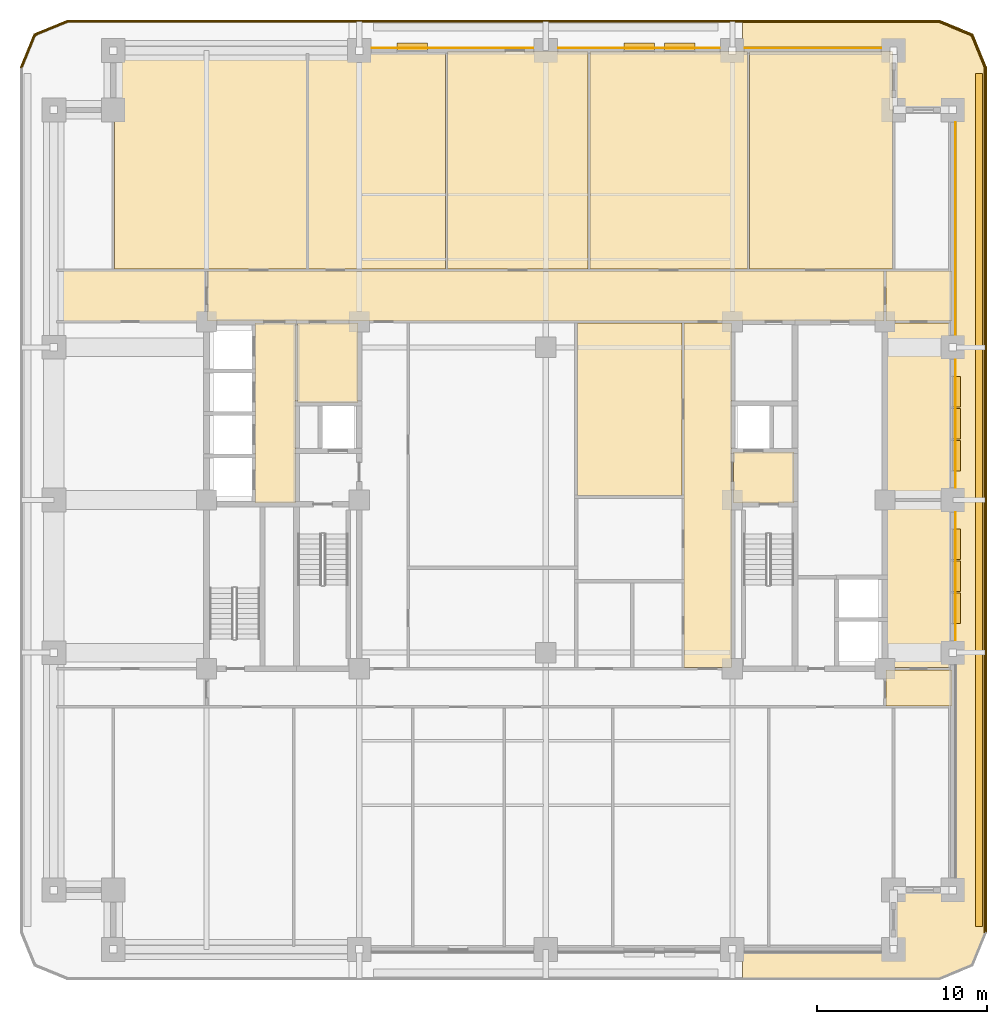
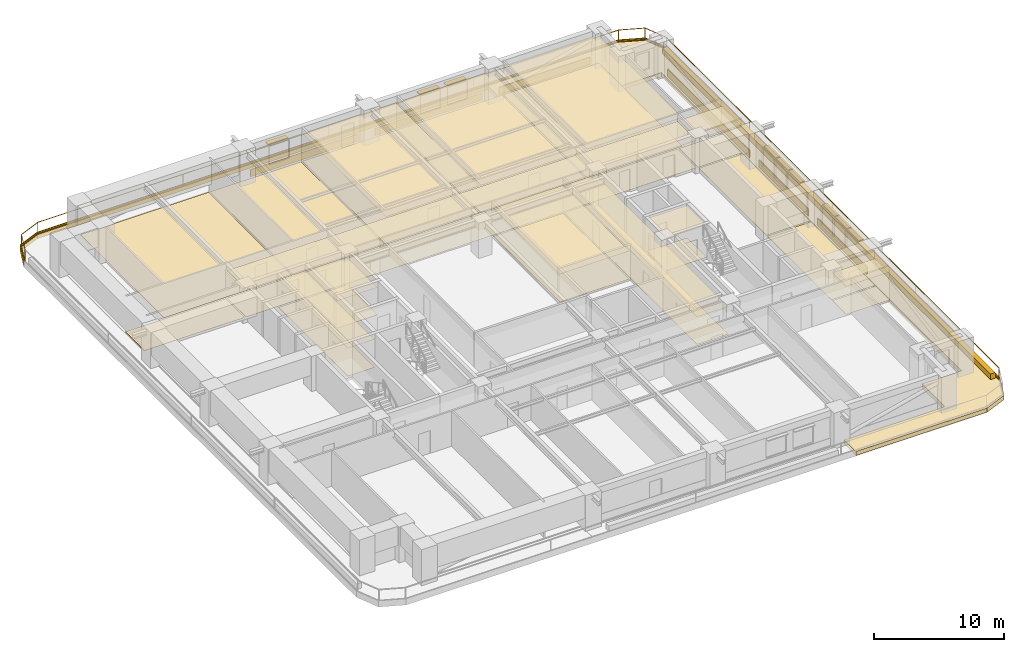
# One storey, part 14 of 14: 41 coverings, 9 shading devices, 2 railings.
"""IFC4 building model written with IfcOpenShell, lengths in metres."""

from ifc_helpers import new_model, si_unit, direction, frame, frame_2d, origin, origin_2d, place, context, subcontext, project, spatial, polyline, rectangle, outline, extrude, material, layer, layer_set, type_object, element, save


model = new_model("IFC4")

# Units and contexts
model_context = context("Model", 3, precision=1e-05, world=origin(), true_north=direction((0.0, 1.0)))
body_context = subcontext(model_context, "Body", "Model", "MODEL_VIEW")
ifc_project = project(units=[si_unit("LENGTHUNIT", "METRE"), si_unit("AREAUNIT", "SQUARE_METRE"), si_unit("VOLUMEUNIT", "CUBIC_METRE"), si_unit("PLANEANGLEUNIT", "RADIAN"), si_unit("MASSUNIT", "GRAM", prefix="KILO")], contexts=[model_context])

# Site, building, storey
site_placement = place(None, origin())
site = spatial("IfcSite", under=ifc_project, at=site_placement, CompositionType="ELEMENT")
building_placement = place(site_placement, origin())
building = spatial("IfcBuilding", under=site, at=building_placement, Name="Zulmaris Gate Convention Tower", CompositionType="ELEMENT")
storey_placement = place(building_placement, frame((0.0, 0.0, 60.760009765625)))
storey = spatial("IfcBuildingStorey", under=building, at=storey_placement, Name="L14", CompositionType="ELEMENT", Elevation=60.760009765625)

# Coverings
ifc_material_1 = material(Name="Precast concrete C40/50", Category="concrete")
ifc_layer_1 = layer(ifc_material_1, 0.0400390625, Name="Precast concrete C40/50")
ifc_layer_set_1 = layer_set([ifc_layer_1], Name="Precast concrete C40/50")
covering_type_1 = type_object("IfcCoveringType", Name="CLAD-SPANDREL-PRECAST", PredefinedType="CLADDING", material=ifc_layer_set_1)
for number, where, z_axis, x_axis, name in (
    (1, (-0.72998046875, 26.64990234375, 0.0), (0.0, 0.0, 1.0), (-1.0, 0.0, 0.0), "CLD-L14-N-1_0"),
    (2, (10.27001953125, 26.64990234375, 0.0), (0.0, 0.0, 1.0), (-1.0, 0.0, 0.0), "CLD-L14-N-2_0"),
):
    element("IfcCovering", number, at=place(storey_placement, frame(where, z_axis=z_axis, x_axis=x_axis)), inside=storey, type_object=covering_type_1, Name=name, PredefinedType="CLADDING", context=body_context, shape_type="SweptSolid", body=[
        extrude(rectangle(XDim=9.5400390625, YDim=0.0400390625, at=frame_2d((4.77001953125, 0.0))), origin(), (0.0, 0.0, 1.0), 0.679931640625),
    ])
covering_1_placement = place(storey_placement, frame((19.77001953125, 26.64990234375, 0.0), z_axis=(0.0, 0.0, 1.0), x_axis=(-1.0, 0.0, 0.0)))
element("IfcCovering", 3, at=covering_1_placement, inside=storey, type_object=covering_type_1, Name="CLD-L14-N-3_0", PredefinedType="CLADDING", context=body_context, shape_type="SweptSolid", body=[
    extrude(rectangle(XDim=8.0400390625, YDim=0.0400390625, at=frame_2d((4.02001953125, 0.0))), origin(), (0.0, 0.0, 1.0), 0.679931640625),
])
for number, where, z_axis, x_axis, name in (
    (4, (24.14990234375, -8.27001953125, 0.0), (0.0, 0.0, 1.0), (0.0, 1.0, 0.0), "CLD-L14-E-1_0"),
    (5, (24.14990234375, 0.72998046875, 0.0), (0.0, 0.0, 1.0), (0.0, 1.0, 0.0), "CLD-L14-E-2_0"),
):
    element("IfcCovering", number, at=place(storey_placement, frame(where, z_axis=z_axis, x_axis=x_axis)), inside=storey, type_object=covering_type_1, Name=name, PredefinedType="CLADDING", context=body_context, shape_type="SweptSolid", body=[
        extrude(rectangle(XDim=7.5400390625, YDim=0.0400390625, at=frame_2d((3.77001953125, 0.0))), origin(), (0.0, 0.0, 1.0), 0.679931640625),
    ])
covering_2_placement = place(storey_placement, frame((24.14990234375, 9.72998046875, 0.0), z_axis=(0.0, 0.0, 1.0), x_axis=(0.0, 1.0, 0.0)))
element("IfcCovering", 6, at=covering_2_placement, inside=storey, type_object=covering_type_1, Name="CLD-L14-E-3_0", PredefinedType="CLADDING", context=body_context, shape_type="SweptSolid", body=[
    extrude(rectangle(XDim=12.5400390625, YDim=0.0400390625, at=frame_2d((6.27001953125, 0.0))), origin(), (0.0, 0.0, 1.0), 0.679931640625),
])
ifc_material_2 = material(Name="White Glazed Architectural Precast Concrete C40/50", Category="concrete")
ifc_layer_2 = layer(ifc_material_2, 0.239990234375, Name="White Glazed Architectural Precast Concrete C40/50")
ifc_layer_set_2 = layer_set([ifc_layer_2], Name="White Glazed Architectural Precast Concrete C40/50")
covering_type_2 = type_object("IfcCoveringType", Name="CLAD-TRAY-DECK", PredefinedType="CLADDING", material=ifc_layer_set_2)
covering_3_placement = place(storey_placement, frame((0.0, 0.0, -0.425048828125)))
element("IfcCovering", 7, at=covering_3_placement, inside=storey, type_object=covering_type_2, Name="L14 East Rounded-Fascia Planter Tray Deck", PredefinedType="CLADDING", context=body_context, shape_type="SweptSolid", body=[
    extrude(outline(polyline([(23.199951171875, 28.300048828125), (25.179931640625, 27.47998046875), (26.0, 25.5), (26.0, -25.5), (25.179931640625, -27.47998046875), (23.199951171875, -28.300048828125), (11.60205078125, -28.300048828125), (11.60205078125, -26.5), (20.5, -26.5), (20.5, -23.0), (24.0, -23.0), (24.0, 23.0), (20.5, 23.0), (20.5, 26.5), (11.60205078125, 26.5), (11.60205078125, 28.300048828125), (23.199951171875, 28.300048828125)])), origin(), (0.0, 0.0, 1.0), 0.385009765625),
])
ifc_layer_3 = layer(ifc_material_2, 0.080078125, Name="White Glazed Architectural Precast Concrete C40/50")
ifc_layer_set_3 = layer_set([ifc_layer_3], Name="White Glazed Architectural Precast Concrete C40/50")
covering_type_3 = type_object("IfcCoveringType", Name="CLAD-TRAY-FASCIA", PredefinedType="CLADDING", material=ifc_layer_set_3)
covering_4_placement = place(storey_placement, frame((25.9599609375, -25.5, -0.465087890625), z_axis=(0.0, 0.0, 1.0), x_axis=(0.0, 1.0, 0.0)))
element("IfcCovering", 8, at=covering_4_placement, inside=storey, type_object=covering_type_3, Name="FSC-L14-TR-05", PredefinedType="CLADDING", context=body_context, shape_type="SweptSolid", body=[
    extrude(rectangle(XDim=51.0, YDim=0.080078125, at=frame_2d((25.5, 0.0))), origin(), (0.0, 0.0, 1.0), 0.5849609375),
])
covering_5_placement = place(storey_placement, frame((25.962890625, 25.484619140625, -0.465087890625), z_axis=(0.0, 0.0, 1.0), x_axis=(-0.382656984709, 0.923890487046, 0.0)))
element("IfcCovering", 9, at=covering_5_placement, inside=storey, type_object=covering_type_3, Name="FSC-L14-TR-06", PredefinedType="CLADDING", context=body_context, shape_type="SweptSolid", body=[
    extrude(rectangle(XDim=2.14306640625, YDim=0.080078125, at=frame_2d((1.071533203125, 0.0))), origin(), (0.0, 0.0, 1.0), 0.5849609375),
])
covering_6_placement = place(storey_placement, frame((25.16455078125, 27.44287109375, -0.465087890625), z_axis=(0.0, 0.0, 1.0), x_axis=(-0.923873803533, 0.382697263049, 0.0)))
element("IfcCovering", 10, at=covering_6_placement, inside=storey, type_object=covering_type_3, Name="FSC-L14-TR-07", PredefinedType="CLADDING", context=body_context, shape_type="SweptSolid", body=[
    extrude(rectangle(XDim=2.142822265625, YDim=0.080078125, at=frame_2d((1.0712890625, 0.0))), origin(), (0.0, 0.0, 1.0), 0.5849609375),
])
covering_7_placement = place(storey_placement, frame((23.199951171875, 28.260009765625, -0.465087890625), z_axis=(0.0, 0.0, 1.0), x_axis=(-1.0, 0.0, 0.0)))
element("IfcCovering", 11, at=covering_7_placement, inside=storey, type_object=covering_type_3, Name="FSC-L14-TR-08", PredefinedType="CLADDING", context=body_context, shape_type="SweptSolid", body=[
    extrude(rectangle(XDim=51.39990234375, YDim=0.080078125, at=frame_2d((25.699951171875, 0.0))), origin(), (0.0, 0.0, 1.0), 0.5849609375),
])
covering_8_placement = place(storey_placement, frame((-28.184814453125, 28.262939453125, -0.465087890625), z_axis=(0.0, 0.0, 1.0), x_axis=(-0.923873803533, -0.382697263049, 0.0)))
element("IfcCovering", 12, at=covering_8_placement, inside=storey, type_object=covering_type_3, Name="FSC-L14-TR-09", PredefinedType="CLADDING", context=body_context, shape_type="SweptSolid", body=[
    extrude(rectangle(XDim=2.142822265625, YDim=0.080078125, at=frame_2d((1.0712890625, 0.0))), origin(), (0.0, 0.0, 1.0), 0.5849609375),
])
covering_9_placement = place(storey_placement, frame((-30.142822265625, 27.464599609375, -0.465087890625), z_axis=(0.0, 0.0, 1.0), x_axis=(-0.382656984709, -0.923890487046, 0.0)))
element("IfcCovering", 13, at=covering_9_placement, inside=storey, type_object=covering_type_3, Name="FSC-L14-TR-10", PredefinedType="CLADDING", context=body_context, shape_type="SweptSolid", body=[
    extrude(rectangle(XDim=2.14306640625, YDim=0.080078125, at=frame_2d((1.071533203125, 0.0))), origin(), (0.0, 0.0, 1.0), 0.5849609375),
])
ifc_material_3 = material(Name="Mineral Fibre Acoustic Ceiling Tile")
ifc_layer_4 = layer(ifc_material_3, 0.02001953125, Name="Mineral Fibre Acoustic Ceiling Tile")
ifc_layer_set_4 = layer_set([ifc_layer_4], Name="Mineral Fibre Acoustic Ceiling Tile")
covering_type_4 = type_object("IfcCoveringType", Name="CLG-ACOUSTIC-600", PredefinedType="CEILING", material=ifc_layer_set_4)
covering_10_placement = place(storey_placement, frame((0.0, 0.0, 3.039794921875)))
element("IfcCovering", 14, at=covering_10_placement, inside=storey, type_object=covering_type_4, Name="CLG-L14-R08", PredefinedType="CEILING", context=body_context, shape_type="SweptSolid", body=[
    extrude(outline(polyline([(11.06005859375, -0.18994140625), (14.639892578125, -0.18994140625), (14.639892578125, 2.840087890625), (11.06005859375, 2.840087890625), (11.06005859375, -0.18994140625)])), origin(), (0.0, 0.0, 1.0), 0.02001953125),
])
covering_11_placement = place(storey_placement, frame((0.0, 0.0, 2.577880859375)))
element("IfcCovering", 15, at=covering_11_placement, inside=storey, type_object=covering_type_4, Name="CLG-L14-R11", PredefinedType="CEILING", context=body_context, shape_type="SweptSolid", body=[
    extrude(outline(polyline([(-14.639892578125, 5.760009765625), (-11.06005859375, 5.760009765625), (-11.06005859375, 10.43994140625), (-14.639892578125, 10.43994140625), (-14.639892578125, 5.760009765625)])), origin(), (0.0, 0.0, 1.0), 0.02001953125),
])
covering_12_placement = place(storey_placement, frame((0.0, 0.0, 2.627685546875)))
element("IfcCovering", 16, at=covering_12_placement, inside=storey, type_object=covering_type_4, Name="CLG-L14-R15", PredefinedType="CEILING", context=body_context, shape_type="SweptSolid", body=[
    extrude(outline(polyline([(-17.139892578125, -0.18994140625), (-14.760009765625, -0.18994140625), (-14.760009765625, 10.43994140625), (-17.139892578125, 10.43994140625), (-17.139892578125, -0.18994140625)])), origin(), (0.0, 0.0, 1.0), 0.02001953125),
])
covering_13_placement = place(storey_placement, frame((0.0, 0.0, 2.577880859375)))
element("IfcCovering", 17, at=covering_13_placement, inside=storey, type_object=covering_type_4, Name="CLG-L14-R26", PredefinedType="CEILING", context=body_context, shape_type="SweptSolid", body=[
    extrude(outline(polyline([(-19.93994140625, 10.56005859375), (19.93994140625, 10.56005859375), (19.93994140625, 13.489990234375), (-19.93994140625, 13.489990234375), (-19.93994140625, 10.56005859375)])), origin(), (0.0, 0.0, 1.0), 0.02001953125),
])
covering_14_placement = place(storey_placement, frame((0.0, 0.0, 2.577880859375)))
element("IfcCovering", 18, at=covering_14_placement, inside=storey, type_object=covering_type_4, Name="CLG-L14-R29", PredefinedType="CEILING", context=body_context, shape_type="SweptSolid", body=[
    extrude(outline(polyline([(8.159912109375, -9.889892578125), (10.93994140625, -9.889892578125), (10.93994140625, 10.43994140625), (8.159912109375, 10.43994140625), (8.159912109375, -9.889892578125)])), origin(), (0.0, 0.0, 1.0), 0.02001953125),
])
covering_15_placement = place(storey_placement, frame((0.0, 0.0, 2.577880859375)))
element("IfcCovering", 19, at=covering_15_placement, inside=storey, type_object=covering_type_4, Name="CLG-L14-R32", PredefinedType="CEILING", context=body_context, shape_type="SweptSolid", body=[
    extrude(outline(polyline([(-5.7900390625, 13.610107421875), (2.489990234375, 13.610107421875), (2.489990234375, 26.43994140625), (-5.7900390625, 26.43994140625), (-5.7900390625, 13.610107421875)])), origin(), (0.0, 0.0, 1.0), 0.02001953125),
])
covering_16_placement = place(storey_placement, frame((0.0, 0.0, 2.577880859375)))
element("IfcCovering", 20, at=covering_16_placement, inside=storey, type_object=covering_type_4, Name="CLG-L14-R33", PredefinedType="CEILING", context=body_context, shape_type="SweptSolid", body=[
    extrude(outline(polyline([(2.610107421875, 13.610107421875), (11.889892578125, 13.610107421875), (11.889892578125, 26.43994140625), (2.610107421875, 26.43994140625), (2.610107421875, 13.610107421875)])), origin(), (0.0, 0.0, 1.0), 0.02001953125),
])
covering_17_placement = place(storey_placement, frame((0.0, 0.0, 2.6796875)))
element("IfcCovering", 21, at=covering_17_placement, inside=storey, type_object=covering_type_4, Name="CLG-L14-R34", PredefinedType="CEILING", context=body_context, shape_type="SweptSolid", body=[
    extrude(outline(polyline([(12.010009765625, 13.610107421875), (20.43994140625, 13.610107421875), (20.43994140625, 26.43994140625), (12.010009765625, 26.43994140625), (12.010009765625, 13.610107421875)])), origin(), (0.0, 0.0, 1.0), 0.02001953125),
])
covering_18_placement = place(storey_placement, frame((0.0, 0.0, 2.627685546875)))
element("IfcCovering", 22, at=covering_18_placement, inside=storey, type_object=covering_type_4, Name="CLG-L14-R43", PredefinedType="CEILING", context=body_context, shape_type="SweptSolid", body=[
    extrude(outline(polyline([(1.860107421875, 0.260009765625), (8.0400390625, 0.260009765625), (8.0400390625, 10.43994140625), (1.860107421875, 10.43994140625), (1.860107421875, 0.260009765625)])), origin(), (0.0, 0.0, 1.0), 0.02001953125),
])
covering_19_placement = place(storey_placement, frame((0.0, 0.0, 2.627685546875)))
element("IfcCovering", 23, at=covering_19_placement, inside=storey, type_object=covering_type_4, Name="CLG-L14-R50", PredefinedType="CEILING", context=body_context, shape_type="SweptSolid", body=[
    extrude(outline(polyline([(20.06005859375, 10.56005859375), (23.93994140625, 10.56005859375), (23.93994140625, 13.489990234375), (20.06005859375, 13.489990234375), (20.06005859375, 10.56005859375)])), origin(), (0.0, 0.0, 1.0), 0.02001953125),
])
covering_20_placement = place(storey_placement, frame((0.0, 0.0, 2.627685546875)))
element("IfcCovering", 24, at=covering_20_placement, inside=storey, type_object=covering_type_4, Name="CLG-L14-R51", PredefinedType="CEILING", context=body_context, shape_type="SweptSolid", body=[
    extrude(outline(polyline([(20.06005859375, -12.139892578125), (23.93994140625, -12.139892578125), (23.93994140625, -10.010009765625), (20.06005859375, -10.010009765625), (20.06005859375, -12.139892578125)])), origin(), (0.0, 0.0, 1.0), 0.02001953125),
])
ifc_material_4 = material(Name="Woven Acoustic Wool Carpet Tile")
ifc_layer_5 = layer(ifc_material_4, 0.02001953125, Name="Woven Acoustic Wool Carpet Tile")
ifc_layer_set_5 = layer_set([ifc_layer_5], Name="Woven Acoustic Wool Carpet Tile")
covering_type_5 = type_object("IfcCoveringType", Name="FLR-CARPET-12", PredefinedType="FLOORING", material=ifc_layer_set_5)
covering_21_placement = place(storey_placement, origin())
element("IfcCovering", 25, at=covering_21_placement, inside=storey, type_object=covering_type_5, Name="FLR-L14-R08", PredefinedType="FLOORING", context=body_context, shape_type="SweptSolid", body=[
    extrude(outline(polyline([(11.06005859375, -0.18994140625), (14.639892578125, -0.18994140625), (14.639892578125, 2.840087890625), (11.06005859375, 2.840087890625), (11.06005859375, -0.18994140625)])), origin(), (0.0, 0.0, 1.0), 0.02001953125),
])
covering_22_placement = place(storey_placement, origin())
element("IfcCovering", 26, at=covering_22_placement, inside=storey, type_object=covering_type_5, Name="FLR-L14-R11", PredefinedType="FLOORING", context=body_context, shape_type="SweptSolid", body=[
    extrude(outline(polyline([(-14.639892578125, 5.760009765625), (-11.06005859375, 5.760009765625), (-11.06005859375, 10.43994140625), (-14.639892578125, 10.43994140625), (-14.639892578125, 5.760009765625)])), origin(), (0.0, 0.0, 1.0), 0.02001953125),
])
covering_23_placement = place(storey_placement, origin())
element("IfcCovering", 27, at=covering_23_placement, inside=storey, type_object=covering_type_5, Name="FLR-L14-R15", PredefinedType="FLOORING", context=body_context, shape_type="SweptSolid", body=[
    extrude(outline(polyline([(-17.139892578125, -0.18994140625), (-14.760009765625, -0.18994140625), (-14.760009765625, 10.43994140625), (-17.139892578125, 10.43994140625), (-17.139892578125, -0.18994140625)])), origin(), (0.0, 0.0, 1.0), 0.02001953125),
])
covering_24_placement = place(storey_placement, origin())
element("IfcCovering", 28, at=covering_24_placement, inside=storey, type_object=covering_type_5, Name="FLR-L14-R26", PredefinedType="FLOORING", context=body_context, shape_type="SweptSolid", body=[
    extrude(outline(polyline([(-19.93994140625, 10.56005859375), (19.93994140625, 10.56005859375), (19.93994140625, 13.489990234375), (-19.93994140625, 13.489990234375), (-19.93994140625, 10.56005859375)])), origin(), (0.0, 0.0, 1.0), 0.02001953125),
])
covering_25_placement = place(storey_placement, origin())
element("IfcCovering", 29, at=covering_25_placement, inside=storey, type_object=covering_type_5, Name="FLR-L14-R29", PredefinedType="FLOORING", context=body_context, shape_type="SweptSolid", body=[
    extrude(outline(polyline([(8.159912109375, -9.889892578125), (10.93994140625, -9.889892578125), (10.93994140625, 10.43994140625), (8.159912109375, 10.43994140625), (8.159912109375, -9.889892578125)])), origin(), (0.0, 0.0, 1.0), 0.02001953125),
])
covering_26_placement = place(storey_placement, origin())
element("IfcCovering", 30, at=covering_26_placement, inside=storey, type_object=covering_type_5, Name="FLR-L14-R31", PredefinedType="FLOORING", context=body_context, shape_type="SweptSolid", body=[
    extrude(outline(polyline([(-13.989990234375, 13.610107421875), (-5.909912109375, 13.610107421875), (-5.909912109375, 26.43994140625), (-13.989990234375, 26.43994140625), (-13.989990234375, 13.610107421875)])), origin(), (0.0, 0.0, 1.0), 0.02001953125),
])
covering_27_placement = place(storey_placement, origin())
element("IfcCovering", 31, at=covering_27_placement, inside=storey, type_object=covering_type_5, Name="FLR-L14-R32", PredefinedType="FLOORING", context=body_context, shape_type="SweptSolid", body=[
    extrude(outline(polyline([(-5.7900390625, 13.610107421875), (2.489990234375, 13.610107421875), (2.489990234375, 26.43994140625), (-5.7900390625, 26.43994140625), (-5.7900390625, 13.610107421875)])), origin(), (0.0, 0.0, 1.0), 0.02001953125),
])
covering_28_placement = place(storey_placement, origin())
element("IfcCovering", 32, at=covering_28_placement, inside=storey, type_object=covering_type_5, Name="FLR-L14-R33", PredefinedType="FLOORING", context=body_context, shape_type="SweptSolid", body=[
    extrude(outline(polyline([(2.610107421875, 13.610107421875), (11.889892578125, 13.610107421875), (11.889892578125, 26.43994140625), (2.610107421875, 26.43994140625), (2.610107421875, 13.610107421875)])), origin(), (0.0, 0.0, 1.0), 0.02001953125),
])
covering_29_placement = place(storey_placement, origin())
element("IfcCovering", 33, at=covering_29_placement, inside=storey, type_object=covering_type_5, Name="FLR-L14-R43", PredefinedType="FLOORING", context=body_context, shape_type="SweptSolid", body=[
    extrude(outline(polyline([(1.860107421875, 0.260009765625), (8.0400390625, 0.260009765625), (8.0400390625, 10.43994140625), (1.860107421875, 10.43994140625), (1.860107421875, 0.260009765625)])), origin(), (0.0, 0.0, 1.0), 0.02001953125),
])
covering_30_placement = place(storey_placement, origin())
element("IfcCovering", 34, at=covering_30_placement, inside=storey, type_object=covering_type_5, Name="FLR-L14-R47", PredefinedType="FLOORING", context=body_context, shape_type="SweptSolid", body=[
    extrude(outline(polyline([(-28.93994140625, 10.56005859375), (-20.06005859375, 10.56005859375), (-20.06005859375, 13.489990234375), (-28.93994140625, 13.489990234375), (-28.93994140625, 10.56005859375)])), origin(), (0.0, 0.0, 1.0), 0.02001953125),
])
covering_31_placement = place(storey_placement, origin())
element("IfcCovering", 35, at=covering_31_placement, inside=storey, type_object=covering_type_5, Name="FLR-L14-R50", PredefinedType="FLOORING", context=body_context, shape_type="SweptSolid", body=[
    extrude(outline(polyline([(20.06005859375, 10.56005859375), (23.93994140625, 10.56005859375), (23.93994140625, 13.489990234375), (20.06005859375, 13.489990234375), (20.06005859375, 10.56005859375)])), origin(), (0.0, 0.0, 1.0), 0.02001953125),
])
covering_32_placement = place(storey_placement, origin())
element("IfcCovering", 36, at=covering_32_placement, inside=storey, type_object=covering_type_5, Name="FLR-L14-R51", PredefinedType="FLOORING", context=body_context, shape_type="SweptSolid", body=[
    extrude(outline(polyline([(20.06005859375, -12.139892578125), (23.93994140625, -12.139892578125), (23.93994140625, -10.010009765625), (20.06005859375, -10.010009765625), (20.06005859375, -12.139892578125)])), origin(), (0.0, 0.0, 1.0), 0.02001953125),
])
covering_33_placement = place(storey_placement, origin())
element("IfcCovering", 37, at=covering_33_placement, inside=storey, type_object=covering_type_5, Name="FLR-L14-R52", PredefinedType="FLOORING", context=body_context, shape_type="SweptSolid", body=[
    extrude(outline(polyline([(20.06005859375, 0.06005859375), (23.93994140625, 0.06005859375), (23.93994140625, 10.43994140625), (20.06005859375, 10.43994140625), (20.06005859375, 0.06005859375)])), origin(), (0.0, 0.0, 1.0), 0.02001953125),
])
covering_34_placement = place(storey_placement, origin())
element("IfcCovering", 38, at=covering_34_placement, inside=storey, type_object=covering_type_5, Name="FLR-L14-R53", PredefinedType="FLOORING", context=body_context, shape_type="SweptSolid", body=[
    extrude(outline(polyline([(20.06005859375, -9.889892578125), (23.93994140625, -9.889892578125), (23.93994140625, -0.06005859375), (20.06005859375, -0.06005859375), (20.06005859375, -9.889892578125)])), origin(), (0.0, 0.0, 1.0), 0.02001953125),
])
ifc_material_5 = material(Name="Engineered Teak Parquet Flooring")
ifc_layer_6 = layer(ifc_material_5, 0.02001953125, Name="Engineered Teak Parquet Flooring")
ifc_layer_set_6 = layer_set([ifc_layer_6], Name="Engineered Teak Parquet Flooring")
covering_type_6 = type_object("IfcCoveringType", Name="FLR-TIMBER-18", PredefinedType="FLOORING", material=ifc_layer_set_6)
covering_35_placement = place(storey_placement, origin())
element("IfcCovering", 39, at=covering_35_placement, inside=storey, type_object=covering_type_6, Name="FLR-L14-R30", PredefinedType="FLOORING", context=body_context, shape_type="SweptSolid", body=[
    extrude(outline(polyline([(-25.43994140625, 13.610107421875), (-14.110107421875, 13.610107421875), (-14.110107421875, 26.43994140625), (-25.43994140625, 26.43994140625), (-25.43994140625, 13.610107421875)])), origin(), (0.0, 0.0, 1.0), 0.02001953125),
])
covering_36_placement = place(storey_placement, origin())
element("IfcCovering", 40, at=covering_36_placement, inside=storey, type_object=covering_type_6, Name="FLR-L14-R34", PredefinedType="FLOORING", context=body_context, shape_type="SweptSolid", body=[
    extrude(outline(polyline([(12.010009765625, 13.610107421875), (20.43994140625, 13.610107421875), (20.43994140625, 26.43994140625), (12.010009765625, 26.43994140625), (12.010009765625, 13.610107421875)])), origin(), (0.0, 0.0, 1.0), 0.02001953125),
])
ifc_material_6 = material(Name="Botanical Green Glazed Precast Concrete C40/50", Category="concrete")
ifc_layer_7 = layer(ifc_material_6, 0.419921875, Name="Botanical Green Glazed Precast Concrete C40/50")
ifc_layer_set_7 = layer_set([ifc_layer_7], Name="Botanical Green Glazed Precast Concrete C40/50")
covering_type_7 = type_object("IfcCoveringType", Name="PLANTER-BOX-200", PredefinedType="CLADDING", material=ifc_layer_set_7)
covering_37_placement = place(storey_placement, frame((0.0, 0.0, -0.0400390625)))
element("IfcCovering", 41, at=covering_37_placement, inside=storey, type_object=covering_type_7, Name="L14 E Full-Length Balcony Tree Planter Trough", PredefinedType="CLADDING", context=body_context, shape_type="SweptSolid", body=[
    extrude(outline(polyline([(25.340087890625, -25.14990234375), (25.760009765625, -25.14990234375), (25.760009765625, 25.14990234375), (25.340087890625, 25.14990234375), (25.340087890625, -25.14990234375)])), origin(), (0.0, 0.0, 1.0), 0.52001953125),
])

# Railings
ifc_material_7 = material(Name="Laminated Glass and Stainless Steel", Category="steel")
railing_type = type_object("IfcRailingType", Name="RL-BALC-1150", PredefinedType="BALUSTRADE", material=ifc_material_7)
railing_1_placement = place(storey_placement, frame((25.8798828125, -25.5, -0.0400390625)))
element("IfcRailing", 42, at=railing_1_placement, inside=storey, type_object=railing_type, Name="RL-L14-BALC-E", PredefinedType="BALUSTRADE", context=body_context, shape_type="SweptSolid", body=[
    extrude(rectangle(XDim=0.048095703125, YDim=0.048095703125, at=origin_2d()), frame((0.0, 0.0, 1.1259765625), z_axis=(0.0, 1.0, 0.0), x_axis=(-1.0, 0.0, 0.0)), (0.0, 0.0, 1.0), 51.0),
    extrude(rectangle(XDim=0.048095703125, YDim=0.048095703125, at=origin_2d()), frame((0.0, 0.0, 0.02392578125), z_axis=(0.0, 1.0, 0.0), x_axis=(-1.0, 0.0, 0.0)), (0.0, 0.0, 1.0), 51.0),
    extrude(rectangle(XDim=0.0419921875, YDim=0.0419921875, at=origin_2d()), origin(), (0.0, 0.0, 1.0), 1.101806640625),
    extrude(rectangle(XDim=0.0419921875, YDim=0.0419921875, at=origin_2d()), frame((0.0, 12.75, 0.0)), (0.0, 0.0, 1.0), 1.101806640625),
    extrude(rectangle(XDim=0.0419921875, YDim=0.0419921875, at=origin_2d()), frame((0.0, 25.5, 0.0)), (0.0, 0.0, 1.0), 1.101806640625),
    extrude(rectangle(XDim=0.0419921875, YDim=0.0419921875, at=origin_2d()), frame((0.0, 38.25, 0.0)), (0.0, 0.0, 1.0), 1.101806640625),
    extrude(rectangle(XDim=0.0419921875, YDim=0.0419921875, at=origin_2d()), frame((0.0, 51.0, 0.0)), (0.0, 0.0, 1.0), 1.101806640625),
])
railing_2_placement = place(storey_placement, frame((25.8798828125, 25.5, -0.0400390625)))
element("IfcRailing", 43, at=railing_2_placement, inside=storey, type_object=railing_type, Name="RL-L14-BALC-N", PredefinedType="BALUSTRADE", context=body_context, shape_type="SweptSolid", body=[
    extrude(rectangle(XDim=0.048095703125, YDim=0.048095703125, at=origin_2d()), frame((0.0, 0.0, 1.1259765625), z_axis=(-0.382670664694, 0.92388482095, 0.0), x_axis=(-0.92388482095, -0.382670664694, 0.0)), (0.0, 0.0, 1.0), 2.051025390625),
    extrude(rectangle(XDim=0.048095703125, YDim=0.048095703125, at=origin_2d()), frame((0.0, 0.0, 0.02392578125), z_axis=(-0.382670664694, 0.92388482095, 0.0), x_axis=(-0.92388482095, -0.382670664694, 0.0)), (0.0, 0.0, 1.0), 2.051025390625),
    extrude(rectangle(XDim=0.048095703125, YDim=0.048095703125, at=origin_2d()), frame((-0.784912109375, 1.89501953125, 1.1259765625), z_axis=(-0.92388482095, 0.382670664694, 0.0), x_axis=(-0.382670664694, -0.92388482095, 0.0)), (0.0, 0.0, 1.0), 2.051025390625),
    extrude(rectangle(XDim=0.048095703125, YDim=0.048095703125, at=origin_2d()), frame((-0.784912109375, 1.89501953125, 0.02392578125), z_axis=(-0.92388482095, 0.382670664694, 0.0), x_axis=(-0.382670664694, -0.92388482095, 0.0)), (0.0, 0.0, 1.0), 2.051025390625),
    extrude(rectangle(XDim=0.048095703125, YDim=0.048095703125, at=origin_2d()), frame((-2.679931640625, 2.679931640625, 1.1259765625), z_axis=(-1.0, 0.0, 0.0), x_axis=(0.0, -1.0, 0.0)), (0.0, 0.0, 1.0), 51.39990234375),
    extrude(rectangle(XDim=0.048095703125, YDim=0.048095703125, at=origin_2d()), frame((-2.679931640625, 2.679931640625, 0.02392578125), z_axis=(-1.0, 0.0, 0.0), x_axis=(0.0, -1.0, 0.0)), (0.0, 0.0, 1.0), 51.39990234375),
    extrude(rectangle(XDim=0.048095703125, YDim=0.048095703125, at=origin_2d()), frame((-54.079833984375, 2.679931640625, 1.1259765625), z_axis=(-0.92388482095, -0.382670664694, 0.0), x_axis=(0.382670664694, -0.92388482095, 0.0)), (0.0, 0.0, 1.0), 2.051025390625),
    extrude(rectangle(XDim=0.048095703125, YDim=0.048095703125, at=origin_2d()), frame((-54.079833984375, 2.679931640625, 0.02392578125), z_axis=(-0.92388482095, -0.382670664694, 0.0), x_axis=(0.382670664694, -0.92388482095, 0.0)), (0.0, 0.0, 1.0), 2.051025390625),
    extrude(rectangle(XDim=0.048095703125, YDim=0.048095703125, at=origin_2d()), frame((-55.974853515625, 1.89501953125, 1.1259765625), z_axis=(-0.382670664694, -0.92388482095, 0.0), x_axis=(0.92388482095, -0.382670664694, 0.0)), (0.0, 0.0, 1.0), 2.051025390625),
    extrude(rectangle(XDim=0.048095703125, YDim=0.048095703125, at=origin_2d()), frame((-55.974853515625, 1.89501953125, 0.02392578125), z_axis=(-0.382670664694, -0.92388482095, 0.0), x_axis=(0.92388482095, -0.382670664694, 0.0)), (0.0, 0.0, 1.0), 2.051025390625),
    extrude(rectangle(XDim=0.0419921875, YDim=0.0419921875, at=origin_2d()), origin(), (0.0, 0.0, 1.0), 1.101806640625),
    extrude(rectangle(XDim=0.0419921875, YDim=0.0419921875, at=origin_2d()), frame((-0.784912109375, 1.89501953125, 0.0)), (0.0, 0.0, 1.0), 1.101806640625),
    extrude(rectangle(XDim=0.0419921875, YDim=0.0419921875, at=origin_2d()), frame((-2.679931640625, 2.679931640625, 0.0)), (0.0, 0.0, 1.0), 1.101806640625),
    extrude(rectangle(XDim=0.0419921875, YDim=0.0419921875, at=origin_2d()), frame((-15.52978515625, 2.679931640625, 0.0)), (0.0, 0.0, 1.0), 1.101806640625),
    extrude(rectangle(XDim=0.0419921875, YDim=0.0419921875, at=origin_2d()), frame((-28.3798828125, 2.679931640625, 0.0)), (0.0, 0.0, 1.0), 1.101806640625),
    extrude(rectangle(XDim=0.0419921875, YDim=0.0419921875, at=origin_2d()), frame((-41.22998046875, 2.679931640625, 0.0)), (0.0, 0.0, 1.0), 1.101806640625),
    extrude(rectangle(XDim=0.0419921875, YDim=0.0419921875, at=origin_2d()), frame((-54.079833984375, 2.679931640625, 0.0)), (0.0, 0.0, 1.0), 1.101806640625),
    extrude(rectangle(XDim=0.0419921875, YDim=0.0419921875, at=origin_2d()), frame((-55.974853515625, 1.89501953125, 0.0)), (0.0, 0.0, 1.0), 1.101806640625),
    extrude(rectangle(XDim=0.0419921875, YDim=0.0419921875, at=origin_2d()), frame((-56.759765625, 0.0, 0.0)), (0.0, 0.0, 1.0), 1.101806640625),
])

# Shading devices
ifc_material_8 = material(Name="Glazed Ceramic Terracotta", Category="masonry")
ifc_layer_8 = layer(ifc_material_8, 0.070068359375, Name="Glazed Ceramic Terracotta")
ifc_layer_set_8 = layer_set([ifc_layer_8], Name="Glazed Ceramic Terracotta")
shading_device_type = type_object("IfcShadingDeviceType", Name="SHD-SUNSHADE-TC", PredefinedType="AWNING", material=ifc_layer_set_8)
for number, where, z_axis, x_axis, name in (
    (44, (-6.985107421875, 26.719970703125, 2.530029296875), (0.0, 0.0, 1.0), (-1.0, 0.0, 0.0), "SHD-EW-L14-N-1_0-3"),
    (45, (8.784912109375, 26.719970703125, 2.530029296875), (0.0, 0.0, 1.0), (-1.0, 0.0, 0.0), "SHD-EW-L14-N-2_0-1"),
    (46, (6.39990234375, 26.719970703125, 2.530029296875), (0.0, 0.0, 1.0), (-1.0, 0.0, 0.0), "SHD-EW-L14-N-2_0-2"),
    (47, (24.219970703125, -7.284912109375, 2.530029296875), (0.0, 0.0, 1.0), (0.0, 1.0, 0.0), "SHD-EW-L14-E-1_0-1"),
    (48, (24.219970703125, -5.39990234375, 2.530029296875), (0.0, 0.0, 1.0), (0.0, 1.0, 0.0), "SHD-EW-L14-E-1_0-2"),
    (49, (24.219970703125, -3.514892578125, 2.530029296875), (0.0, 0.0, 1.0), (0.0, 1.0, 0.0), "SHD-EW-L14-E-1_0-3"),
    (50, (24.219970703125, 1.715087890625, 2.530029296875), (0.0, 0.0, 1.0), (0.0, 1.0, 0.0), "SHD-EW-L14-E-2_0-1"),
    (51, (24.219970703125, 3.60009765625, 2.530029296875), (0.0, 0.0, 1.0), (0.0, 1.0, 0.0), "SHD-EW-L14-E-2_0-2"),
    (52, (24.219970703125, 5.485107421875, 2.530029296875), (0.0, 0.0, 1.0), (0.0, 1.0, 0.0), "SHD-EW-L14-E-2_0-3"),
):
    element("IfcShadingDevice", number, at=place(storey_placement, frame(where, z_axis=z_axis, x_axis=x_axis)), inside=storey, type_object=shading_device_type, Name=name, PredefinedType="AWNING", context=body_context, shape_type="SweptSolid", body=[
        extrude(rectangle(XDim=1.7998046875, YDim=0.43994140625, at=frame_2d((0.89990234375, 0.0))), origin(), (0.0, 0.0, 1.0), 0.070068359375),
    ])

save(model, "model.ifc")
